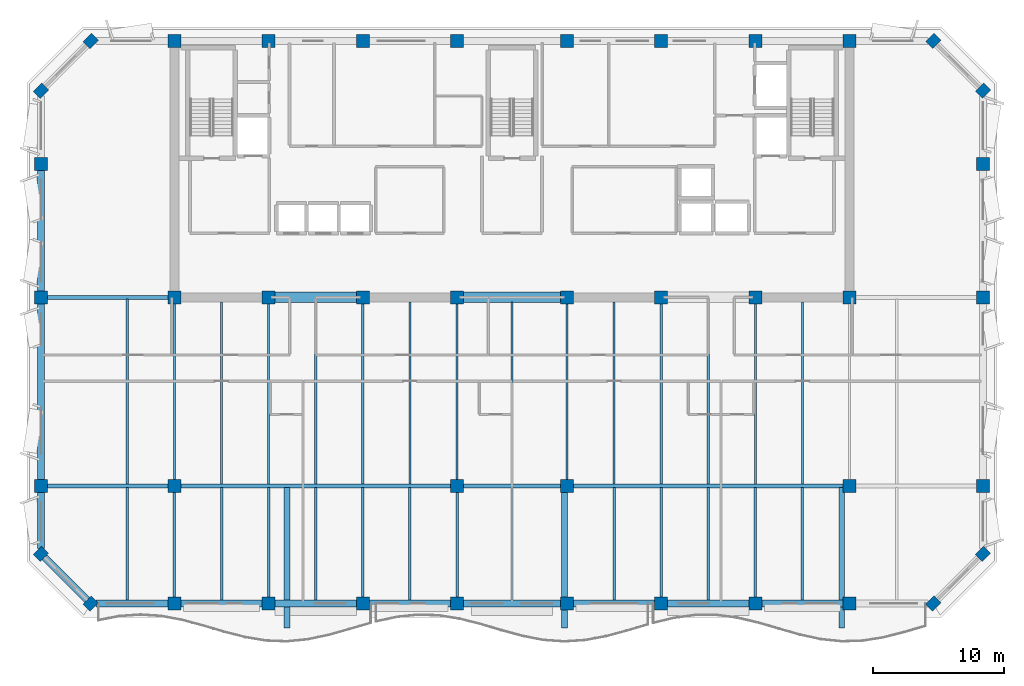
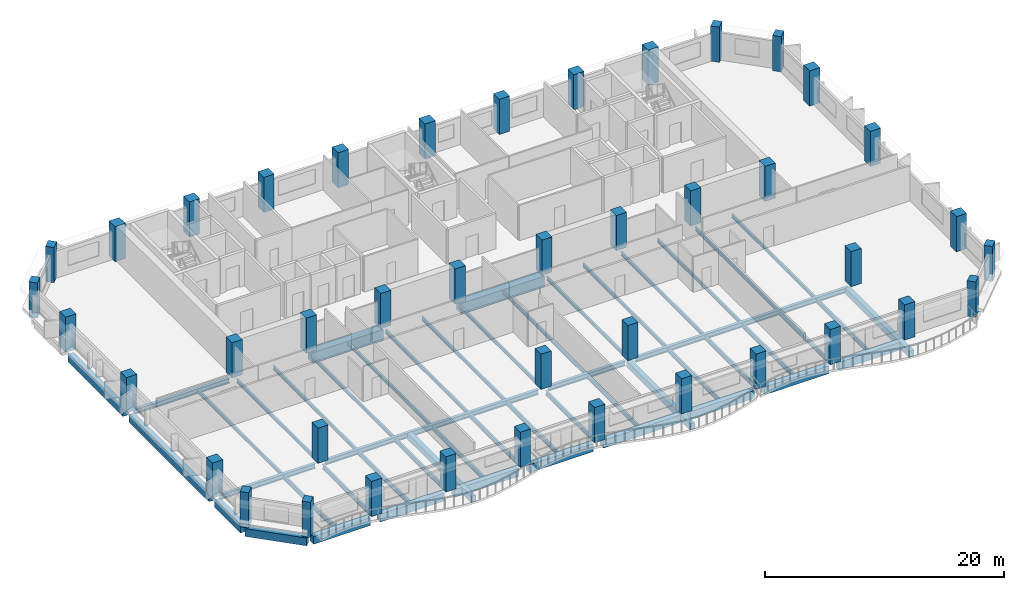
# One storey, part 1 of 11: 51 beams, 42 columns.
"""IFC4 building model written with IfcOpenShell, lengths in metres."""

import ifcopenshell
import ifcopenshell.guid

model = None  # the IFC model being written
_history = None  # IfcOwnerHistory: only IFC2X3 demands one
_inside = {}  # id of a spatial element -> (the spatial element, [elements in it])
_under = {}  # id of a project, library or spatial element -> (it, [spatial elements below it])
_declared = {}  # id of a project -> (the project, [libraries it declares])
_typed = {}  # id of a type object -> (the type object, [elements of that type])
_made_of = {}  # id of a material, layer set ... -> (it, [elements and type objects made of it])


def new_model(schema):
    """Start an empty IFC model of exactly this schema.

    Asked for "IFC4X3", IfcOpenShell would pick the latest addendum, in which some entities
    have other attributes; the version numbers below select the first issue.
    IFC2X3 requires an IfcOwnerHistory on every rooted entity: one is made here for all.
    """
    global model, _history
    if schema == "IFC4X3":
        model = ifcopenshell.file(schema_version=(4, 3, 0, 0))
    else:
        model = ifcopenshell.file(schema=schema)
    _inside.clear()
    _under.clear()
    _declared.clear()
    _typed.clear()
    _made_of.clear()
    _history = None
    if model.schema == "IFC2X3":
        org = make("IfcOrganization", Name="unknown")
        user = make(
            "IfcPersonAndOrganization",
            ThePerson=make("IfcPerson", FamilyName="unknown"),
            TheOrganization=org,
        )
        app = make(
            "IfcApplication",
            ApplicationDeveloper=org,
            Version="unknown",
            ApplicationFullName="unknown",
            ApplicationIdentifier="unknown",
        )
        _history = make(
            "IfcOwnerHistory",
            OwningUser=user,
            OwningApplication=app,
            ChangeAction="ADDED",
            CreationDate=0,
        )
    return model


def make(cls, **values):
    """One entity of the class cls with the attributes given. An attribute that is None is left unset."""
    return model.create_entity(
        cls, **{name: value for name, value in values.items() if value is not None}
    )


def rooted(cls, **values):
    """An entity with a GlobalId (a new one), such as an element, a storey or a relation."""
    return make(cls, GlobalId=ifcopenshell.guid.new(), OwnerHistory=_history, **values)


def si_unit(unit_type, name, prefix=None):
    """IfcSIUnit, for example si_unit("LENGTHUNIT", "METRE", prefix="MILLI")."""
    return make("IfcSIUnit", UnitType=unit_type, Prefix=prefix, Name=name)


def assignment(units):
    """IfcUnitAssignment: the units of a project."""
    return None if units is None else make("IfcUnitAssignment", Units=units)


def point(xyz):
    """IfcCartesianPoint."""
    return None if xyz is None else make("IfcCartesianPoint", Coordinates=xyz)


def direction(xyz):
    """IfcDirection."""
    return None if xyz is None else make("IfcDirection", DirectionRatios=xyz)


def frame(location, z_axis=None, x_axis=None):
    """IfcAxis2Placement3D, a coordinate frame: its origin and axes. An axis left out is left unset."""
    return make(
        "IfcAxis2Placement3D",
        Location=point(location),
        Axis=direction(z_axis),
        RefDirection=direction(x_axis),
    )


def frame_2d(location, x_axis=None):
    """IfcAxis2Placement2D, a coordinate frame in the plane: its origin and x axis."""
    return make(
        "IfcAxis2Placement2D", Location=point(location), RefDirection=direction(x_axis)
    )


def origin():
    """The frame at (0, 0, 0) with its axes left unset."""
    return frame((0.0, 0.0, 0.0))


def origin_2d():
    """The frame at (0, 0) in the plane with its x axis left unset."""
    return frame_2d((0.0, 0.0))


def place(relative_to, where):
    """IfcLocalPlacement: puts the frame where relative to a parent placement (None: the world)."""
    return make(
        "IfcLocalPlacement", PlacementRelTo=relative_to, RelativePlacement=where
    )


def context(
    kind, dimensions, precision=None, world=None, true_north=None, identifier=None
):
    """IfcGeometricRepresentationContext, for example the 3D "Model" context."""
    return make(
        "IfcGeometricRepresentationContext",
        ContextIdentifier=identifier,
        ContextType=kind,
        CoordinateSpaceDimension=dimensions,
        Precision=precision,
        WorldCoordinateSystem=world,
        TrueNorth=true_north,
    )


def subcontext(parent, identifier, kind, view, scale=None):
    """IfcGeometricRepresentationSubContext, for example "Body" below "Model"."""
    return make(
        "IfcGeometricRepresentationSubContext",
        ContextIdentifier=identifier,
        ContextType=kind,
        ParentContext=parent,
        TargetScale=scale,
        TargetView=view,
    )


def project(units=None, contexts=None):
    """IfcProject with its units and contexts."""
    return rooted(
        "IfcProject",
        Name="project",
        RepresentationContexts=contexts,
        UnitsInContext=assignment(units),
    )


def spatial(cls, under=None, at=None, **own):
    """A site, building, storey or space (cls), placed at a placement, below another one or the project."""
    s = rooted(cls, ObjectPlacement=at, **own)
    if under is not None:
        _under.setdefault(under.id(), (under, []))[1].append(s)
    return s


def profile(cls, at=None, kind="AREA", **sizes):
    """A parametric profile (cls). Its sizes go by their IFC names, for example OverallWidth=200.0."""
    return make(cls, ProfileType=kind, Position=at, **sizes)


def rectangle(**sizes):
    """IfcRectangleProfileDef."""
    return profile("IfcRectangleProfileDef", **sizes)


def i_section(**sizes):
    """IfcIShapeProfileDef."""
    return profile("IfcIShapeProfileDef", **sizes)


def extrude(swept, where, along, depth):
    """IfcExtrudedAreaSolid: the profile swept, set in the frame where, extruded along a direction by depth."""
    return make(
        "IfcExtrudedAreaSolid",
        SweptArea=swept,
        Position=where,
        ExtrudedDirection=direction(along),
        Depth=depth,
    )


def shape(context_of_items, identifier, shape_type, items):
    """IfcShapeRepresentation: the items that make up one representation, for example the "Body"."""
    return make(
        "IfcShapeRepresentation",
        ContextOfItems=context_of_items,
        RepresentationIdentifier=identifier,
        RepresentationType=shape_type,
        Items=items,
    )


def material(Name=None, Category=None):
    """IfcMaterial."""
    return make("IfcMaterial", Name=Name, Category=Category)


def material_profile(
    of_material, cross_section, Name=None, Category=None, Priority=None
):
    """IfcMaterialProfile: a cross section and its material."""
    return make(
        "IfcMaterialProfile",
        Name=Name,
        Material=of_material,
        Profile=cross_section,
        Priority=Priority,
        Category=Category,
    )


def profile_set(profiles, Name=None, composite=None):
    """IfcMaterialProfileSet."""
    return make(
        "IfcMaterialProfileSet",
        Name=Name,
        MaterialProfiles=profiles,
        CompositeProfile=composite,
    )


def made_of(thing, what):
    """Note that an element or type object is made of a material, layer set ...; save() writes the relation."""
    if what is not None:
        _made_of.setdefault(what.id(), (what, []))[1].append(thing)
    return thing


def type_object(cls, material=None, **own):
    """A type object (cls), such as IfcWallType, which elements share."""
    return made_of(rooted(cls, **own), material)


def element(
    cls,
    number,
    at=None,
    inside=None,
    cuts=None,
    type_object=None,
    material=None,
    context=None,
    identifier="Body",
    shape_type=None,
    held_by="IfcProductDefinitionShape",
    body=None,
    shapes=None,
    **own,
):
    """One element of the class cls, such as IfcWall. Its Tag is "e" and its number.

    at: its placement. inside: the storey or other place that contains it. cuts: it is an
    opening in that element (IfcRelVoidsElement). A single representation is given by context,
    identifier, shape_type and body (its items); several are given by shapes. held_by: the class
    of the entity that holds the representations. save() writes the other relations.
    """
    e = rooted(cls, Tag="e%d" % number, ObjectPlacement=at, **own)
    if body is not None:
        shapes = [shape(context, identifier, shape_type, body)]
    if shapes is not None:
        e.Representation = make(held_by, Representations=shapes)
    if inside is not None:
        _inside.setdefault(inside.id(), (inside, []))[1].append(e)
    if cuts is not None:
        rooted(
            "IfcRelVoidsElement", RelatingBuildingElement=cuts, RelatedOpeningElement=e
        )
    if type_object is not None:
        _typed.setdefault(type_object.id(), (type_object, []))[1].append(e)
    return made_of(e, material)


def aggregate(whole, parts):
    """IfcRelAggregates: a whole, such as a stair, and the parts it consists of."""
    return rooted("IfcRelAggregates", RelatingObject=whole, RelatedObjects=parts)


def save(model, path):
    """Write the relations noted so far, then the file.

    IfcRelAggregates (storeys below a building ...), IfcRelContainedInSpatialStructure (elements
    in a storey), IfcRelDefinesByType, IfcRelAssociatesMaterial and IfcRelDeclares: one each for
    every whole, place, type object, material and project.
    """
    for whole, parts in _under.values():
        aggregate(whole, parts)
    for where, things in _inside.values():
        rooted(
            "IfcRelContainedInSpatialStructure",
            RelatedElements=things,
            RelatingStructure=where,
        )
    for kind, things in _typed.values():
        rooted("IfcRelDefinesByType", RelatedObjects=things, RelatingType=kind)
    for what, things in _made_of.values():
        rooted("IfcRelAssociatesMaterial", RelatedObjects=things, RelatingMaterial=what)
    for by, libraries in _declared.values():
        rooted("IfcRelDeclares", RelatingContext=by, RelatedDefinitions=libraries)
    model.write(path)


model = new_model("IFC4")

# Units and contexts
model_context = context("Model", 3, precision=1e-05, world=origin(), true_north=direction((0.0, 1.0)))
body_context = subcontext(model_context, "Body", "Model", "MODEL_VIEW")
ifc_project = project(units=[si_unit("LENGTHUNIT", "METRE"), si_unit("AREAUNIT", "SQUARE_METRE"), si_unit("VOLUMEUNIT", "CUBIC_METRE"), si_unit("PLANEANGLEUNIT", "RADIAN"), si_unit("MASSUNIT", "GRAM", prefix="KILO")], contexts=[model_context])

# Site, building, storey
site_placement = place(None, origin())
site = spatial("IfcSite", under=ifc_project, at=site_placement, CompositionType="ELEMENT")
building_placement = place(site_placement, origin())
building = spatial("IfcBuilding", under=site, at=building_placement, Name="Kaelvorn Grand Hotel", CompositionType="ELEMENT")
storey_placement = place(building_placement, frame((0.0, 0.0, 276.550048828125)))
storey = spatial("IfcBuildingStorey", under=building, at=storey_placement, Name="L68", CompositionType="ELEMENT", Elevation=276.550048828125)

# Columns
ifc_material_1 = material(Name="Concrete C60/75", Category="concrete")
ifc_material_profile_1 = material_profile(ifc_material_1, rectangle(XDim=0.89990234375, YDim=0.75, at=origin_2d()), Name="RC PILASTER 900x750")
ifc_profile_set_1 = profile_set([ifc_material_profile_1], Name="Concrete C60/75")
column_type_1 = type_object("IfcColumnType", Name="COL-PIL-900x750-C60", PredefinedType="PILASTER", material=ifc_profile_set_1)
for number, where, z_axis, x_axis, name in (
    (1, (9.800048828125, 6.0, 0.0), (0.0, 0.0, 1.0), (0.707106781187, 0.707106781187, 0.0), "L68 Structural Column CH-01"),
    (2, (74.199951171875, 6.0, 0.0), (0.0, 0.0, 1.0), (0.707106781187, 0.707106781187, 0.0), "L68 Structural Column CH-02"),
    (3, (78.0, 9.800048828125, 0.0), (0.0, 0.0, 1.0), (0.707106781187, 0.707106781187, 0.0), "L68 Structural Column CH-03"),
    (4, (78.0, 45.199951171875, 0.0), (0.0, 0.0, 1.0), (0.707106781187, 0.707106781187, 0.0), "L68 Structural Column CH-04"),
    (5, (74.199951171875, 49.0, 0.0), (0.0, 0.0, 1.0), (0.707106781187, 0.707106781187, 0.0), "L68 Structural Column CH-05"),
    (6, (9.800048828125, 49.0, 0.0), (0.0, 0.0, 1.0), (0.707106781187, 0.707106781187, 0.0), "L68 Structural Column CH-06"),
    (7, (6.0, 45.199951171875, 0.0), (0.0, 0.0, 1.0), (0.707106781187, 0.707106781187, 0.0), "L68 Structural Column CH-07"),
    (8, (6.0, 9.800048828125, 0.0), (0.0, 0.0, 1.0), (0.707106781187, 0.707106781187, 0.0), "L68 Structural Column CH-08"),
):
    element("IfcColumn", number, at=place(storey_placement, frame(where, z_axis=z_axis, x_axis=x_axis)), inside=storey, type_object=column_type_1, Name=name, PredefinedType="PILASTER", context=body_context, shape_type="SweptSolid", body=[
        extrude(rectangle(XDim=0.89990234375, YDim=0.75, at=origin_2d()), origin(), (0.0, 0.0, 1.0), 3.599853515625),
    ])
ifc_material_2 = material(Name="Concrete C50/60", Category="concrete")
ifc_material_profile_2 = material_profile(ifc_material_2, rectangle(XDim=1.0, YDim=1.0, at=origin_2d()), Name="RC COL 1000x1000")
ifc_profile_set_2 = profile_set([ifc_material_profile_2], Name="Concrete C50/60")
column_type_2 = type_object("IfcColumnType", Name="COL-RC-1000-C50", PredefinedType="COLUMN", material=ifc_profile_set_2)
for number, where, z_axis, x_axis, name in (
    (9, (16.199951171875, 6.0, 0.0), (0.0, 0.0, 1.0), (1.0, 0.0, 0.0), "L68 Structural Column S-01"),
    (10, (23.39990234375, 6.0, 0.0), (0.0, 0.0, 1.0), (1.0, 0.0, 0.0), "L68 Structural Column S-02"),
    (11, (30.60009765625, 6.0, 0.0), (0.0, 0.0, 1.0), (1.0, 0.0, 0.0), "L68 Structural Column S-03"),
    (12, (37.800048828125, 6.0, 0.0), (0.0, 0.0, 1.0), (1.0, 0.0, 0.0), "L68 Structural Column S-04"),
    (13, (46.199951171875, 6.0, 0.0), (0.0, 0.0, 1.0), (1.0, 0.0, 0.0), "L68 Structural Column S-05"),
    (14, (53.39990234375, 6.0, 0.0), (0.0, 0.0, 1.0), (1.0, 0.0, 0.0), "L68 Structural Column S-06"),
    (15, (60.60009765625, 6.0, 0.0), (0.0, 0.0, 1.0), (1.0, 0.0, 0.0), "L68 Structural Column S-07"),
    (16, (67.800048828125, 6.0, 0.0), (0.0, 0.0, 1.0), (1.0, 0.0, 0.0), "L68 Structural Column S-08"),
    (17, (6.0, 15.0, 0.0), (0.0, 0.0, 1.0), (1.0, 0.0, 0.0), "L68 Structural Column W-01"),
    (18, (78.0, 15.0, 0.0), (0.0, 0.0, 1.0), (1.0, 0.0, 0.0), "L68 Structural Column E-01"),
    (19, (6.0, 29.39990234375, 0.0), (0.0, 0.0, 1.0), (1.0, 0.0, 0.0), "L68 Structural Column W-02"),
    (20, (78.0, 29.39990234375, 0.0), (0.0, 0.0, 1.0), (1.0, 0.0, 0.0), "L68 Structural Column E-02"),
    (21, (6.0, 39.60009765625, 0.0), (0.0, 0.0, 1.0), (1.0, 0.0, 0.0), "L68 Structural Column W-03"),
    (22, (78.0, 39.60009765625, 0.0), (0.0, 0.0, 1.0), (1.0, 0.0, 0.0), "L68 Structural Column E-03"),
    (23, (16.199951171875, 15.0, 0.0), (0.0, 0.0, 1.0), (1.0, 0.0, 0.0), "L68 Structural Column M-01"),
    (24, (37.800048828125, 15.0, 0.0), (0.0, 0.0, 1.0), (1.0, 0.0, 0.0), "L68 Structural Column M-02"),
    (25, (46.199951171875, 15.0, 0.0), (0.0, 0.0, 1.0), (1.0, 0.0, 0.0), "L68 Structural Column M-03"),
    (26, (67.800048828125, 15.0, 0.0), (0.0, 0.0, 1.0), (1.0, 0.0, 0.0), "L68 Structural Column M-04"),
    (27, (16.199951171875, 29.39990234375, 0.0), (0.0, 0.0, 1.0), (1.0, 0.0, 0.0), "L68 Structural Column CR1-01"),
    (28, (16.199951171875, 49.0, 0.0), (0.0, 0.0, 1.0), (1.0, 0.0, 0.0), "L68 Structural Column CR2-01"),
    (29, (23.39990234375, 29.39990234375, 0.0), (0.0, 0.0, 1.0), (1.0, 0.0, 0.0), "L68 Structural Column CR1-02"),
    (30, (23.39990234375, 49.0, 0.0), (0.0, 0.0, 1.0), (1.0, 0.0, 0.0), "L68 Structural Column CR2-02"),
    (31, (30.60009765625, 29.39990234375, 0.0), (0.0, 0.0, 1.0), (1.0, 0.0, 0.0), "L68 Structural Column CR1-03"),
    (32, (30.60009765625, 49.0, 0.0), (0.0, 0.0, 1.0), (1.0, 0.0, 0.0), "L68 Structural Column CR2-03"),
    (33, (37.800048828125, 29.39990234375, 0.0), (0.0, 0.0, 1.0), (1.0, 0.0, 0.0), "L68 Structural Column CR1-04"),
    (34, (37.800048828125, 49.0, 0.0), (0.0, 0.0, 1.0), (1.0, 0.0, 0.0), "L68 Structural Column CR2-04"),
    (35, (46.199951171875, 29.39990234375, 0.0), (0.0, 0.0, 1.0), (1.0, 0.0, 0.0), "L68 Structural Column CR1-05"),
    (36, (46.199951171875, 49.0, 0.0), (0.0, 0.0, 1.0), (1.0, 0.0, 0.0), "L68 Structural Column CR2-05"),
    (37, (53.39990234375, 29.39990234375, 0.0), (0.0, 0.0, 1.0), (1.0, 0.0, 0.0), "L68 Structural Column CR1-06"),
    (38, (53.39990234375, 49.0, 0.0), (0.0, 0.0, 1.0), (1.0, 0.0, 0.0), "L68 Structural Column CR2-06"),
    (39, (60.60009765625, 29.39990234375, 0.0), (0.0, 0.0, 1.0), (1.0, 0.0, 0.0), "L68 Structural Column CR1-07"),
    (40, (60.60009765625, 49.0, 0.0), (0.0, 0.0, 1.0), (1.0, 0.0, 0.0), "L68 Structural Column CR2-07"),
    (41, (67.800048828125, 29.39990234375, 0.0), (0.0, 0.0, 1.0), (1.0, 0.0, 0.0), "L68 Structural Column CR1-08"),
    (42, (67.800048828125, 49.0, 0.0), (0.0, 0.0, 1.0), (1.0, 0.0, 0.0), "L68 Structural Column CR2-08"),
):
    element("IfcColumn", number, at=place(storey_placement, frame(where, z_axis=z_axis, x_axis=x_axis)), inside=storey, type_object=column_type_2, Name=name, PredefinedType="COLUMN", context=body_context, shape_type="SweptSolid", body=[
        extrude(rectangle(XDim=1.0, YDim=1.0, at=origin_2d()), origin(), (0.0, 0.0, 1.0), 3.599853515625),
    ])

# Beams
ifc_material_3 = material(Name="Steel S355", Category="steel")
ifc_material_profile_3 = material_profile(ifc_material_3, i_section(OverallWidth=0.300048828125, OverallDepth=0.5, WebThickness=0.014404296875, FlangeThickness=0.028076171875, FilletRadius=0.027099609375, at=origin_2d()), Name="HEB 500")
ifc_profile_set_3 = profile_set([ifc_material_profile_3], Name="Steel S355")
beam_type_1 = type_object("IfcBeamType", Name="BM-G-HEB500-S355", PredefinedType="BEAM", material=ifc_profile_set_3)
beam_1_placement = place(storey_placement, frame((6.485107421875, 15.0, -0.489990234375), z_axis=(1.0, 0.0, 0.0), x_axis=(0.0, 1.0, 0.0)))
element("IfcBeam", 43, at=beam_1_placement, inside=storey, type_object=beam_type_1, Name="L68 Primary Spine Steel Girder G-15 01", PredefinedType="BEAM", context=body_context, shape_type="SweptSolid", body=[
    extrude(i_section(OverallWidth=0.300048828125, OverallDepth=0.5, WebThickness=0.014404296875, FlangeThickness=0.028076171875, FilletRadius=0.027099609375, at=origin_2d()), origin(), (0.0, 0.0, 1.0), 9.22998046875),
])
beam_2_placement = place(storey_placement, frame((16.68505859375, 15.0, -0.489990234375), z_axis=(1.0, 0.0, 0.0), x_axis=(0.0, 1.0, 0.0)))
element("IfcBeam", 44, at=beam_2_placement, inside=storey, type_object=beam_type_1, Name="L68 Primary Spine Steel Girder G-15 02", PredefinedType="BEAM", context=body_context, shape_type="SweptSolid", body=[
    extrude(i_section(OverallWidth=0.300048828125, OverallDepth=0.5, WebThickness=0.014404296875, FlangeThickness=0.028076171875, FilletRadius=0.027099609375, at=origin_2d()), origin(), (0.0, 0.0, 1.0), 20.6298828125),
])
beam_3_placement = place(storey_placement, frame((38.284912109375, 15.0, -0.489990234375), z_axis=(1.0, 0.0, 0.0), x_axis=(0.0, 1.0, 0.0)))
element("IfcBeam", 45, at=beam_3_placement, inside=storey, type_object=beam_type_1, Name="L68 Primary Spine Steel Girder G-15 03", PredefinedType="BEAM", context=body_context, shape_type="SweptSolid", body=[
    extrude(i_section(OverallWidth=0.300048828125, OverallDepth=0.5, WebThickness=0.014404296875, FlangeThickness=0.028076171875, FilletRadius=0.027099609375, at=origin_2d()), origin(), (0.0, 0.0, 1.0), 7.43017578125),
])
beam_4_placement = place(storey_placement, frame((46.68505859375, 15.0, -0.489990234375), z_axis=(1.0, 0.0, 0.0), x_axis=(0.0, 1.0, 0.0)))
element("IfcBeam", 46, at=beam_4_placement, inside=storey, type_object=beam_type_1, Name="L68 Primary Spine Steel Girder G-15 04", PredefinedType="BEAM", context=body_context, shape_type="SweptSolid", body=[
    extrude(i_section(OverallWidth=0.300048828125, OverallDepth=0.5, WebThickness=0.014404296875, FlangeThickness=0.028076171875, FilletRadius=0.027099609375, at=origin_2d()), origin(), (0.0, 0.0, 1.0), 20.6298828125),
])
beam_5_placement = place(storey_placement, frame((6.485107421875, 29.39990234375, -0.489990234375), z_axis=(1.0, 0.0, 0.0), x_axis=(0.0, 1.0, 0.0)))
element("IfcBeam", 47, at=beam_5_placement, inside=storey, type_object=beam_type_1, Name="L68 West Core Wing Steel Girder G-29W 01", PredefinedType="BEAM", context=body_context, shape_type="SweptSolid", body=[
    extrude(i_section(OverallWidth=0.300048828125, OverallDepth=0.5, WebThickness=0.014404296875, FlangeThickness=0.028076171875, FilletRadius=0.027099609375, at=origin_2d()), origin(), (0.0, 0.0, 1.0), 9.22998046875),
])
ifc_material_profile_4 = material_profile(ifc_material_3, i_section(OverallWidth=0.169921875, OverallDepth=0.360107421875, WebThickness=0.008056640625, FlangeThickness=0.0126953125, FilletRadius=0.01806640625, at=origin_2d()), Name="IPE 360")
ifc_profile_set_4 = profile_set([ifc_material_profile_4], Name="Steel S355")
beam_type_2 = type_object("IfcBeamType", Name="BM-J-IPE360-S355", PredefinedType="JOIST", material=ifc_profile_set_4)
beam_6_placement = place(storey_placement, frame((12.60009765625, 15.135009765625, -0.420166015625), z_axis=(0.0, 1.0, 0.0), x_axis=(-1.0, 0.0, 0.0)))
element("IfcBeam", 48, at=beam_6_placement, inside=storey, type_object=beam_type_2, Name="L68 Composite Floor Joist JM-04", PredefinedType="JOIST", context=body_context, shape_type="SweptSolid", body=[
    extrude(i_section(OverallWidth=0.169921875, OverallDepth=0.360107421875, WebThickness=0.008056640625, FlangeThickness=0.0126953125, FilletRadius=0.01806640625, at=origin_2d()), origin(), (0.0, 0.0, 1.0), 14.1298828125),
])
beam_7_placement = place(storey_placement, frame((16.199951171875, 15.485107421875, -0.420166015625), z_axis=(0.0, 1.0, 0.0), x_axis=(-1.0, 0.0, 0.0)))
element("IfcBeam", 49, at=beam_7_placement, inside=storey, type_object=beam_type_2, Name="L68 Composite Floor Joist JM-05", PredefinedType="JOIST", context=body_context, shape_type="SweptSolid", body=[
    extrude(i_section(OverallWidth=0.169921875, OverallDepth=0.360107421875, WebThickness=0.008056640625, FlangeThickness=0.0126953125, FilletRadius=0.01806640625, at=origin_2d()), origin(), (0.0, 0.0, 1.0), 13.429931640625),
])
beam_8_placement = place(storey_placement, frame((19.800048828125, 15.135009765625, -0.420166015625), z_axis=(0.0, 1.0, 0.0), x_axis=(-1.0, 0.0, 0.0)))
element("IfcBeam", 50, at=beam_8_placement, inside=storey, type_object=beam_type_2, Name="L68 Composite Floor Joist JM-06", PredefinedType="JOIST", context=body_context, shape_type="SweptSolid", body=[
    extrude(i_section(OverallWidth=0.169921875, OverallDepth=0.360107421875, WebThickness=0.008056640625, FlangeThickness=0.0126953125, FilletRadius=0.01806640625, at=origin_2d()), origin(), (0.0, 0.0, 1.0), 13.925048828125),
])
beam_9_placement = place(storey_placement, frame((23.39990234375, 15.135009765625, -0.420166015625), z_axis=(0.0, 1.0, 0.0), x_axis=(-1.0, 0.0, 0.0)))
element("IfcBeam", 51, at=beam_9_placement, inside=storey, type_object=beam_type_2, Name="L68 Composite Floor Joist JM-07", PredefinedType="JOIST", context=body_context, shape_type="SweptSolid", body=[
    extrude(i_section(OverallWidth=0.169921875, OverallDepth=0.360107421875, WebThickness=0.008056640625, FlangeThickness=0.0126953125, FilletRadius=0.01806640625, at=origin_2d()), origin(), (0.0, 0.0, 1.0), 13.780029296875),
])
beam_10_placement = place(storey_placement, frame((27.0, 15.135009765625, -0.420166015625), z_axis=(0.0, 1.0, 0.0), x_axis=(-1.0, 0.0, 0.0)))
element("IfcBeam", 52, at=beam_10_placement, inside=storey, type_object=beam_type_2, Name="L68 Composite Floor Joist JM-08", PredefinedType="JOIST", context=body_context, shape_type="SweptSolid", body=[
    extrude(i_section(OverallWidth=0.169921875, OverallDepth=0.360107421875, WebThickness=0.008056640625, FlangeThickness=0.0126953125, FilletRadius=0.01806640625, at=origin_2d()), origin(), (0.0, 0.0, 1.0), 13.925048828125),
])
beam_11_placement = place(storey_placement, frame((30.60009765625, 15.135009765625, -0.420166015625), z_axis=(0.0, 1.0, 0.0), x_axis=(-1.0, 0.0, 0.0)))
element("IfcBeam", 53, at=beam_11_placement, inside=storey, type_object=beam_type_2, Name="L68 Composite Floor Joist JM-09", PredefinedType="JOIST", context=body_context, shape_type="SweptSolid", body=[
    extrude(i_section(OverallWidth=0.169921875, OverallDepth=0.360107421875, WebThickness=0.008056640625, FlangeThickness=0.0126953125, FilletRadius=0.01806640625, at=origin_2d()), origin(), (0.0, 0.0, 1.0), 13.780029296875),
])
beam_12_placement = place(storey_placement, frame((34.199951171875, 15.135009765625, -0.420166015625), z_axis=(0.0, 1.0, 0.0), x_axis=(-1.0, 0.0, 0.0)))
element("IfcBeam", 54, at=beam_12_placement, inside=storey, type_object=beam_type_2, Name="L68 Composite Floor Joist JM-10", PredefinedType="JOIST", context=body_context, shape_type="SweptSolid", body=[
    extrude(i_section(OverallWidth=0.169921875, OverallDepth=0.360107421875, WebThickness=0.008056640625, FlangeThickness=0.0126953125, FilletRadius=0.01806640625, at=origin_2d()), origin(), (0.0, 0.0, 1.0), 13.925048828125),
])
beam_13_placement = place(storey_placement, frame((37.800048828125, 15.485107421875, -0.420166015625), z_axis=(0.0, 1.0, 0.0), x_axis=(-1.0, 0.0, 0.0)))
element("IfcBeam", 55, at=beam_13_placement, inside=storey, type_object=beam_type_2, Name="L68 Composite Floor Joist JM-11", PredefinedType="JOIST", context=body_context, shape_type="SweptSolid", body=[
    extrude(i_section(OverallWidth=0.169921875, OverallDepth=0.360107421875, WebThickness=0.008056640625, FlangeThickness=0.0126953125, FilletRadius=0.01806640625, at=origin_2d()), origin(), (0.0, 0.0, 1.0), 13.429931640625),
])
beam_14_placement = place(storey_placement, frame((42.0, 15.135009765625, -0.420166015625), z_axis=(0.0, 1.0, 0.0), x_axis=(-1.0, 0.0, 0.0)))
element("IfcBeam", 56, at=beam_14_placement, inside=storey, type_object=beam_type_2, Name="L68 Composite Floor Joist JM-12", PredefinedType="JOIST", context=body_context, shape_type="SweptSolid", body=[
    extrude(i_section(OverallWidth=0.169921875, OverallDepth=0.360107421875, WebThickness=0.008056640625, FlangeThickness=0.0126953125, FilletRadius=0.01806640625, at=origin_2d()), origin(), (0.0, 0.0, 1.0), 13.925048828125),
])
beam_15_placement = place(storey_placement, frame((46.199951171875, 15.485107421875, -0.420166015625), z_axis=(0.0, 1.0, 0.0), x_axis=(-1.0, 0.0, 0.0)))
element("IfcBeam", 57, at=beam_15_placement, inside=storey, type_object=beam_type_2, Name="L68 Composite Floor Joist JM-13", PredefinedType="JOIST", context=body_context, shape_type="SweptSolid", body=[
    extrude(i_section(OverallWidth=0.169921875, OverallDepth=0.360107421875, WebThickness=0.008056640625, FlangeThickness=0.0126953125, FilletRadius=0.01806640625, at=origin_2d()), origin(), (0.0, 0.0, 1.0), 13.429931640625),
])
beam_16_placement = place(storey_placement, frame((49.800048828125, 15.135009765625, -0.420166015625), z_axis=(0.0, 1.0, 0.0), x_axis=(-1.0, 0.0, 0.0)))
element("IfcBeam", 58, at=beam_16_placement, inside=storey, type_object=beam_type_2, Name="L68 Composite Floor Joist JM-14", PredefinedType="JOIST", context=body_context, shape_type="SweptSolid", body=[
    extrude(i_section(OverallWidth=0.169921875, OverallDepth=0.360107421875, WebThickness=0.008056640625, FlangeThickness=0.0126953125, FilletRadius=0.01806640625, at=origin_2d()), origin(), (0.0, 0.0, 1.0), 13.925048828125),
])
beam_17_placement = place(storey_placement, frame((53.39990234375, 15.135009765625, -0.420166015625), z_axis=(0.0, 1.0, 0.0), x_axis=(-1.0, 0.0, 0.0)))
element("IfcBeam", 59, at=beam_17_placement, inside=storey, type_object=beam_type_2, Name="L68 Composite Floor Joist JM-15", PredefinedType="JOIST", context=body_context, shape_type="SweptSolid", body=[
    extrude(i_section(OverallWidth=0.169921875, OverallDepth=0.360107421875, WebThickness=0.008056640625, FlangeThickness=0.0126953125, FilletRadius=0.01806640625, at=origin_2d()), origin(), (0.0, 0.0, 1.0), 13.780029296875),
])
beam_18_placement = place(storey_placement, frame((57.0, 15.135009765625, -0.420166015625), z_axis=(0.0, 1.0, 0.0), x_axis=(-1.0, 0.0, 0.0)))
element("IfcBeam", 60, at=beam_18_placement, inside=storey, type_object=beam_type_2, Name="L68 Composite Floor Joist JM-16", PredefinedType="JOIST", context=body_context, shape_type="SweptSolid", body=[
    extrude(i_section(OverallWidth=0.169921875, OverallDepth=0.360107421875, WebThickness=0.008056640625, FlangeThickness=0.0126953125, FilletRadius=0.01806640625, at=origin_2d()), origin(), (0.0, 0.0, 1.0), 13.925048828125),
])
beam_19_placement = place(storey_placement, frame((60.60009765625, 15.135009765625, -0.420166015625), z_axis=(0.0, 1.0, 0.0), x_axis=(-1.0, 0.0, 0.0)))
element("IfcBeam", 61, at=beam_19_placement, inside=storey, type_object=beam_type_2, Name="L68 Composite Floor Joist JM-17", PredefinedType="JOIST", context=body_context, shape_type="SweptSolid", body=[
    extrude(i_section(OverallWidth=0.169921875, OverallDepth=0.360107421875, WebThickness=0.008056640625, FlangeThickness=0.0126953125, FilletRadius=0.01806640625, at=origin_2d()), origin(), (0.0, 0.0, 1.0), 13.780029296875),
])
beam_20_placement = place(storey_placement, frame((64.199951171875, 15.135009765625, -0.420166015625), z_axis=(0.0, 1.0, 0.0), x_axis=(-1.0, 0.0, 0.0)))
element("IfcBeam", 62, at=beam_20_placement, inside=storey, type_object=beam_type_2, Name="L68 Composite Floor Joist JM-18", PredefinedType="JOIST", context=body_context, shape_type="SweptSolid", body=[
    extrude(i_section(OverallWidth=0.169921875, OverallDepth=0.360107421875, WebThickness=0.008056640625, FlangeThickness=0.0126953125, FilletRadius=0.01806640625, at=origin_2d()), origin(), (0.0, 0.0, 1.0), 13.925048828125),
])
ifc_material_profile_5 = material_profile(ifc_material_3, i_section(OverallWidth=0.18994140625, OverallDepth=0.449951171875, WebThickness=0.009521484375, FlangeThickness=0.0146484375, FilletRadius=0.02099609375, at=origin_2d()), Name="IPE 450")
ifc_profile_set_5 = profile_set([ifc_material_profile_5], Name="Steel S355")
beam_type_3 = type_object("IfcBeamType", Name="BM-J-IPE450-S355", PredefinedType="JOIST", material=ifc_profile_set_5)
beam_21_placement = place(storey_placement, frame((12.60009765625, 6.260009765625, -0.465087890625), z_axis=(0.0, 1.0, 0.0), x_axis=(-1.0, 0.0, 0.0)))
element("IfcBeam", 63, at=beam_21_placement, inside=storey, type_object=beam_type_3, Name="L68 Composite Floor Joist JS-04", PredefinedType="JOIST", context=body_context, shape_type="SweptSolid", body=[
    extrude(i_section(OverallWidth=0.18994140625, OverallDepth=0.449951171875, WebThickness=0.009521484375, FlangeThickness=0.0146484375, FilletRadius=0.02099609375, at=origin_2d()), origin(), (0.0, 0.0, 1.0), 8.60498046875),
])
beam_22_placement = place(storey_placement, frame((16.199951171875, 6.485107421875, -0.465087890625), z_axis=(0.0, 1.0, 0.0), x_axis=(-1.0, 0.0, 0.0)))
element("IfcBeam", 64, at=beam_22_placement, inside=storey, type_object=beam_type_3, Name="L68 Composite Floor Joist JS-05", PredefinedType="JOIST", context=body_context, shape_type="SweptSolid", body=[
    extrude(i_section(OverallWidth=0.18994140625, OverallDepth=0.449951171875, WebThickness=0.009521484375, FlangeThickness=0.0146484375, FilletRadius=0.02099609375, at=origin_2d()), origin(), (0.0, 0.0, 1.0), 8.02978515625),
])
beam_23_placement = place(storey_placement, frame((19.800048828125, 6.260009765625, -0.465087890625), z_axis=(0.0, 1.0, 0.0), x_axis=(-1.0, 0.0, 0.0)))
element("IfcBeam", 65, at=beam_23_placement, inside=storey, type_object=beam_type_3, Name="L68 Composite Floor Joist JS-06", PredefinedType="JOIST", context=body_context, shape_type="SweptSolid", body=[
    extrude(i_section(OverallWidth=0.18994140625, OverallDepth=0.449951171875, WebThickness=0.009521484375, FlangeThickness=0.0146484375, FilletRadius=0.02099609375, at=origin_2d()), origin(), (0.0, 0.0, 1.0), 8.60498046875),
])
beam_24_placement = place(storey_placement, frame((23.39990234375, 6.485107421875, -0.465087890625), z_axis=(0.0, 1.0, 0.0), x_axis=(-1.0, 0.0, 0.0)))
element("IfcBeam", 66, at=beam_24_placement, inside=storey, type_object=beam_type_3, Name="L68 Composite Floor Joist JS-07", PredefinedType="JOIST", context=body_context, shape_type="SweptSolid", body=[
    extrude(i_section(OverallWidth=0.18994140625, OverallDepth=0.449951171875, WebThickness=0.009521484375, FlangeThickness=0.0146484375, FilletRadius=0.02099609375, at=origin_2d()), origin(), (0.0, 0.0, 1.0), 8.3798828125),
])
beam_25_placement = place(storey_placement, frame((27.0, 6.260009765625, -0.465087890625), z_axis=(0.0, 1.0, 0.0), x_axis=(-1.0, 0.0, 0.0)))
element("IfcBeam", 67, at=beam_25_placement, inside=storey, type_object=beam_type_3, Name="L68 Composite Floor Joist JS-08", PredefinedType="JOIST", context=body_context, shape_type="SweptSolid", body=[
    extrude(i_section(OverallWidth=0.18994140625, OverallDepth=0.449951171875, WebThickness=0.009521484375, FlangeThickness=0.0146484375, FilletRadius=0.02099609375, at=origin_2d()), origin(), (0.0, 0.0, 1.0), 8.60498046875),
])
beam_26_placement = place(storey_placement, frame((30.60009765625, 6.485107421875, -0.465087890625), z_axis=(0.0, 1.0, 0.0), x_axis=(-1.0, 0.0, 0.0)))
element("IfcBeam", 68, at=beam_26_placement, inside=storey, type_object=beam_type_3, Name="L68 Composite Floor Joist JS-09", PredefinedType="JOIST", context=body_context, shape_type="SweptSolid", body=[
    extrude(i_section(OverallWidth=0.18994140625, OverallDepth=0.449951171875, WebThickness=0.009521484375, FlangeThickness=0.0146484375, FilletRadius=0.02099609375, at=origin_2d()), origin(), (0.0, 0.0, 1.0), 8.3798828125),
])
beam_27_placement = place(storey_placement, frame((34.199951171875, 6.260009765625, -0.465087890625), z_axis=(0.0, 1.0, 0.0), x_axis=(-1.0, 0.0, 0.0)))
element("IfcBeam", 69, at=beam_27_placement, inside=storey, type_object=beam_type_3, Name="L68 Composite Floor Joist JS-10", PredefinedType="JOIST", context=body_context, shape_type="SweptSolid", body=[
    extrude(i_section(OverallWidth=0.18994140625, OverallDepth=0.449951171875, WebThickness=0.009521484375, FlangeThickness=0.0146484375, FilletRadius=0.02099609375, at=origin_2d()), origin(), (0.0, 0.0, 1.0), 8.60498046875),
])
beam_28_placement = place(storey_placement, frame((37.800048828125, 6.485107421875, -0.465087890625), z_axis=(0.0, 1.0, 0.0), x_axis=(-1.0, 0.0, 0.0)))
element("IfcBeam", 70, at=beam_28_placement, inside=storey, type_object=beam_type_3, Name="L68 Composite Floor Joist JS-11", PredefinedType="JOIST", context=body_context, shape_type="SweptSolid", body=[
    extrude(i_section(OverallWidth=0.18994140625, OverallDepth=0.449951171875, WebThickness=0.009521484375, FlangeThickness=0.0146484375, FilletRadius=0.02099609375, at=origin_2d()), origin(), (0.0, 0.0, 1.0), 8.02978515625),
])
for number, where, z_axis, x_axis, name in (
    (71, (42.0, 6.260009765625, -0.465087890625), (0.0, 1.0, 0.0), (-1.0, 0.0, 0.0), "L68 Composite Floor Joist JS-12"),
    (72, (49.800048828125, 6.260009765625, -0.465087890625), (0.0, 1.0, 0.0), (-1.0, 0.0, 0.0), "L68 Composite Floor Joist JS-14"),
):
    element("IfcBeam", number, at=place(storey_placement, frame(where, z_axis=z_axis, x_axis=x_axis)), inside=storey, type_object=beam_type_3, Name=name, PredefinedType="JOIST", context=body_context, shape_type="SweptSolid", body=[
        extrude(i_section(OverallWidth=0.18994140625, OverallDepth=0.449951171875, WebThickness=0.009521484375, FlangeThickness=0.0146484375, FilletRadius=0.02099609375, at=origin_2d()), origin(), (0.0, 0.0, 1.0), 8.60498046875),
    ])
beam_29_placement = place(storey_placement, frame((53.39990234375, 6.485107421875, -0.465087890625), z_axis=(0.0, 1.0, 0.0), x_axis=(-1.0, 0.0, 0.0)))
element("IfcBeam", 73, at=beam_29_placement, inside=storey, type_object=beam_type_3, Name="L68 Composite Floor Joist JS-15", PredefinedType="JOIST", context=body_context, shape_type="SweptSolid", body=[
    extrude(i_section(OverallWidth=0.18994140625, OverallDepth=0.449951171875, WebThickness=0.009521484375, FlangeThickness=0.0146484375, FilletRadius=0.02099609375, at=origin_2d()), origin(), (0.0, 0.0, 1.0), 8.3798828125),
])
beam_30_placement = place(storey_placement, frame((57.0, 6.260009765625, -0.465087890625), z_axis=(0.0, 1.0, 0.0), x_axis=(-1.0, 0.0, 0.0)))
element("IfcBeam", 74, at=beam_30_placement, inside=storey, type_object=beam_type_3, Name="L68 Composite Floor Joist JS-16", PredefinedType="JOIST", context=body_context, shape_type="SweptSolid", body=[
    extrude(i_section(OverallWidth=0.18994140625, OverallDepth=0.449951171875, WebThickness=0.009521484375, FlangeThickness=0.0146484375, FilletRadius=0.02099609375, at=origin_2d()), origin(), (0.0, 0.0, 1.0), 8.60498046875),
])
beam_31_placement = place(storey_placement, frame((60.60009765625, 6.485107421875, -0.465087890625), z_axis=(0.0, 1.0, 0.0), x_axis=(-1.0, 0.0, 0.0)))
element("IfcBeam", 75, at=beam_31_placement, inside=storey, type_object=beam_type_3, Name="L68 Composite Floor Joist JS-17", PredefinedType="JOIST", context=body_context, shape_type="SweptSolid", body=[
    extrude(i_section(OverallWidth=0.18994140625, OverallDepth=0.449951171875, WebThickness=0.009521484375, FlangeThickness=0.0146484375, FilletRadius=0.02099609375, at=origin_2d()), origin(), (0.0, 0.0, 1.0), 8.3798828125),
])
beam_32_placement = place(storey_placement, frame((64.199951171875, 6.260009765625, -0.465087890625), z_axis=(0.0, 1.0, 0.0), x_axis=(-1.0, 0.0, 0.0)))
element("IfcBeam", 76, at=beam_32_placement, inside=storey, type_object=beam_type_3, Name="L68 Composite Floor Joist JS-18", PredefinedType="JOIST", context=body_context, shape_type="SweptSolid", body=[
    extrude(i_section(OverallWidth=0.18994140625, OverallDepth=0.449951171875, WebThickness=0.009521484375, FlangeThickness=0.0146484375, FilletRadius=0.02099609375, at=origin_2d()), origin(), (0.0, 0.0, 1.0), 8.60498046875),
])
ifc_material_profile_6 = material_profile(ifc_material_1, rectangle(XDim=0.800048828125, YDim=1.10009765625, at=origin_2d()), Name="RC LINTEL 800x1100")
ifc_profile_set_6 = profile_set([ifc_material_profile_6], Name="Concrete C60/75")
beam_type_4 = type_object("IfcBeamType", Name="BM-LIN-800x1100-C60", PredefinedType="LINTEL", material=ifc_profile_set_6)
beam_33_placement = place(storey_placement, frame((23.580078125, 29.39990234375, -0.7900390625), z_axis=(1.0, 0.0, 0.0), x_axis=(0.0, 1.0, 0.0)))
element("IfcBeam", 77, at=beam_33_placement, inside=storey, type_object=beam_type_4, Name="L68 Rear-Core Coupling Lintel Beam CB1-01", PredefinedType="LINTEL", context=body_context, shape_type="SweptSolid", body=[
    extrude(rectangle(XDim=0.800048828125, YDim=1.10009765625, at=origin_2d()), origin(), (0.0, 0.0, 1.0), 6.83984375),
])
beam_34_placement = place(storey_placement, frame((37.97998046875, 29.39990234375, -0.7900390625), z_axis=(1.0, 0.0, 0.0), x_axis=(0.0, 1.0, 0.0)))
element("IfcBeam", 78, at=beam_34_placement, inside=storey, type_object=beam_type_4, Name="L68 Rear-Core Coupling Lintel Beam CB1-02", PredefinedType="LINTEL", context=body_context, shape_type="SweptSolid", body=[
    extrude(rectangle(XDim=0.800048828125, YDim=1.10009765625, at=origin_2d()), origin(), (0.0, 0.0, 1.0), 8.0400390625),
])
ifc_material_4 = material(Name="Concrete C40/50", Category="concrete")
ifc_material_profile_7 = material_profile(ifc_material_4, rectangle(XDim=0.449951171875, YDim=0.64990234375, at=origin_2d()), Name="RC RIB 450x650")
ifc_profile_set_7 = profile_set([ifc_material_profile_7], Name="Concrete C40/50")
beam_type_5 = type_object("IfcBeamType", Name="BM-RIB-450x650-C40", PredefinedType="SPANDREL", material=ifc_profile_set_7)
for number, where, z_axis, x_axis, name in (
    (79, (24.800048828125, 4.14990234375, -0.545166015625), (0.0, 1.0, 0.0), (-1.0, 0.0, 0.0), "L68 Cantilevered Balcony Back-Span Rib RB1-1"),
    (80, (46.0, 4.14990234375, -0.545166015625), (0.0, 1.0, 0.0), (-1.0, 0.0, 0.0), "L68 Cantilevered Balcony Back-Span Rib RB1-2"),
    (81, (67.199951171875, 4.14990234375, -0.545166015625), (0.0, 1.0, 0.0), (-1.0, 0.0, 0.0), "L68 Cantilevered Balcony Back-Span Rib RB1-3"),
):
    element("IfcBeam", number, at=place(storey_placement, frame(where, z_axis=z_axis, x_axis=x_axis)), inside=storey, type_object=beam_type_5, Name=name, PredefinedType="SPANDREL", context=body_context, shape_type="SweptSolid", body=[
        extrude(rectangle(XDim=0.449951171875, YDim=0.64990234375, at=origin_2d()), origin(), (0.0, 0.0, 1.0), 10.715087890625),
    ])
ifc_material_profile_8 = material_profile(ifc_material_2, rectangle(XDim=0.550048828125, YDim=0.800048828125, at=origin_2d()), Name="RC SPANDREL 550x800")
ifc_profile_set_8 = profile_set([ifc_material_profile_8], Name="Concrete C50/60")
beam_type_6 = type_object("IfcBeamType", Name="BM-SP-550x800-C50", PredefinedType="SPANDREL", material=ifc_profile_set_8)
beam_35_placement = place(storey_placement, frame((10.205078125, 6.0, -0.64013671875), z_axis=(1.0, 0.0, 0.0), x_axis=(0.0, 1.0, 0.0)))
element("IfcBeam", 82, at=beam_35_placement, inside=storey, type_object=beam_type_6, Name="L68 South Perimeter Spandrel 01", PredefinedType="SPANDREL", context=body_context, shape_type="SweptSolid", body=[
    extrude(rectangle(XDim=0.550048828125, YDim=0.800048828125, at=origin_2d()), origin(), (0.0, 0.0, 1.0), 5.510009765625),
])
for number, where, z_axis, x_axis, name in (
    (83, (16.68505859375, 6.0, -0.64013671875), (1.0, 0.0, 0.0), (0.0, 1.0, 0.0), "L68 South Perimeter Spandrel 02"),
    (84, (23.885009765625, 6.0, -0.64013671875), (1.0, 0.0, 0.0), (0.0, 1.0, 0.0), "L68 South Perimeter Spandrel 03"),
    (85, (31.0849609375, 6.0, -0.64013671875), (1.0, 0.0, 0.0), (0.0, 1.0, 0.0), "L68 South Perimeter Spandrel 04"),
):
    element("IfcBeam", number, at=place(storey_placement, frame(where, z_axis=z_axis, x_axis=x_axis)), inside=storey, type_object=beam_type_6, Name=name, PredefinedType="SPANDREL", context=body_context, shape_type="SweptSolid", body=[
        extrude(rectangle(XDim=0.550048828125, YDim=0.800048828125, at=origin_2d()), origin(), (0.0, 0.0, 1.0), 6.22998046875),
    ])
beam_36_placement = place(storey_placement, frame((38.284912109375, 6.0, -0.64013671875), z_axis=(1.0, 0.0, 0.0), x_axis=(0.0, 1.0, 0.0)))
element("IfcBeam", 86, at=beam_36_placement, inside=storey, type_object=beam_type_6, Name="L68 South Perimeter Spandrel 05", PredefinedType="SPANDREL", context=body_context, shape_type="SweptSolid", body=[
    extrude(rectangle(XDim=0.550048828125, YDim=0.800048828125, at=origin_2d()), origin(), (0.0, 0.0, 1.0), 7.43017578125),
])
for number, where, z_axis, x_axis, name in (
    (87, (46.68505859375, 6.0, -0.64013671875), (1.0, 0.0, 0.0), (0.0, 1.0, 0.0), "L68 South Perimeter Spandrel 06"),
    (88, (53.885009765625, 6.0, -0.64013671875), (1.0, 0.0, 0.0), (0.0, 1.0, 0.0), "L68 South Perimeter Spandrel 07"),
    (89, (61.0849609375, 6.0, -0.64013671875), (1.0, 0.0, 0.0), (0.0, 1.0, 0.0), "L68 South Perimeter Spandrel 08"),
):
    element("IfcBeam", number, at=place(storey_placement, frame(where, z_axis=z_axis, x_axis=x_axis)), inside=storey, type_object=beam_type_6, Name=name, PredefinedType="SPANDREL", context=body_context, shape_type="SweptSolid", body=[
        extrude(rectangle(XDim=0.550048828125, YDim=0.800048828125, at=origin_2d()), origin(), (0.0, 0.0, 1.0), 6.22998046875),
    ])
beam_37_placement = place(storey_placement, frame((6.0, 10.205078125, -0.64013671875), z_axis=(0.0, 1.0, 0.0), x_axis=(-1.0, 0.0, 0.0)))
element("IfcBeam", 90, at=beam_37_placement, inside=storey, type_object=beam_type_6, Name="L68 West Perimeter Spandrel 01", PredefinedType="SPANDREL", context=body_context, shape_type="SweptSolid", body=[
    extrude(rectangle(XDim=0.550048828125, YDim=0.800048828125, at=origin_2d()), origin(), (0.0, 0.0, 1.0), 4.309814453125),
])
beam_38_placement = place(storey_placement, frame((6.0, 15.485107421875, -0.64013671875), z_axis=(0.0, 1.0, 0.0), x_axis=(-1.0, 0.0, 0.0)))
element("IfcBeam", 91, at=beam_38_placement, inside=storey, type_object=beam_type_6, Name="L68 West Perimeter Spandrel 02", PredefinedType="SPANDREL", context=body_context, shape_type="SweptSolid", body=[
    extrude(rectangle(XDim=0.550048828125, YDim=0.800048828125, at=origin_2d()), origin(), (0.0, 0.0, 1.0), 13.429931640625),
])
beam_39_placement = place(storey_placement, frame((6.0, 29.885009765625, -0.64013671875), z_axis=(0.0, 1.0, 0.0), x_axis=(-1.0, 0.0, 0.0)))
element("IfcBeam", 92, at=beam_39_placement, inside=storey, type_object=beam_type_6, Name="L68 West Perimeter Spandrel 03", PredefinedType="SPANDREL", context=body_context, shape_type="SweptSolid", body=[
    extrude(rectangle(XDim=0.550048828125, YDim=0.800048828125, at=origin_2d()), origin(), (0.0, 0.0, 1.0), 9.22998046875),
])
beam_40_placement = place(storey_placement, frame((6.0, 9.800048828125, -0.64013671875), z_axis=(0.707106781187, -0.707106781187, 0.0), x_axis=(0.707106781187, 0.707106781187, 0.0)))
element("IfcBeam", 93, at=beam_40_placement, inside=storey, type_object=beam_type_6, Name="L68 Chamfer Spandrel Beam 4", PredefinedType="SPANDREL", context=body_context, shape_type="SweptSolid", body=[
    extrude(rectangle(XDim=0.550048828125, YDim=0.800048828125, at=origin_2d()), origin(), (0.0, 0.0, 1.0), 5.3740234375),
])

save(model, "model.ifc")
